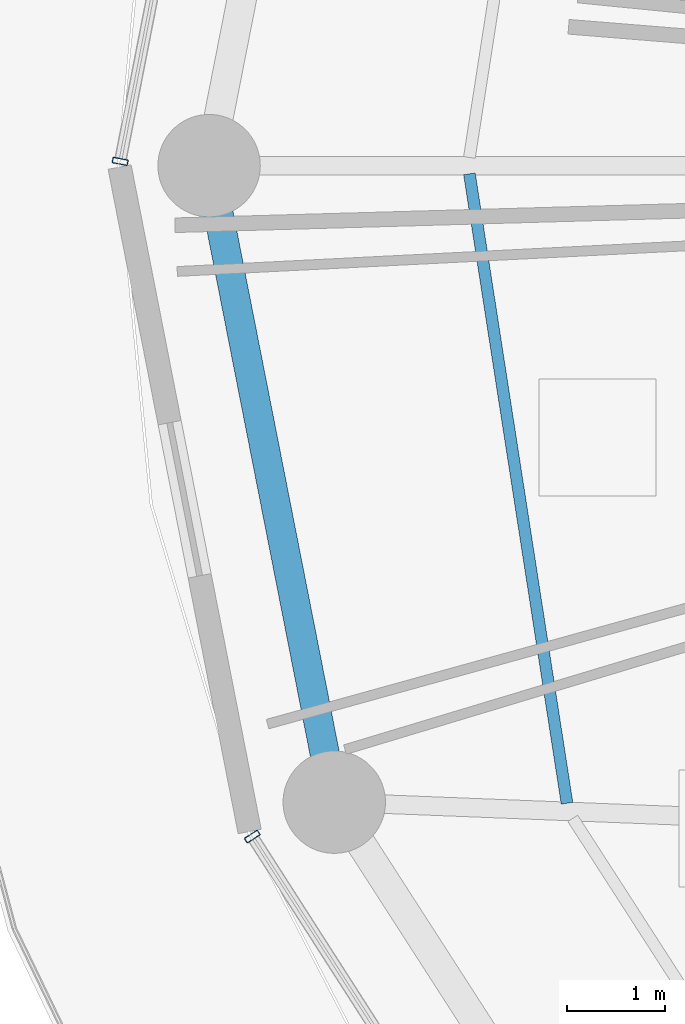
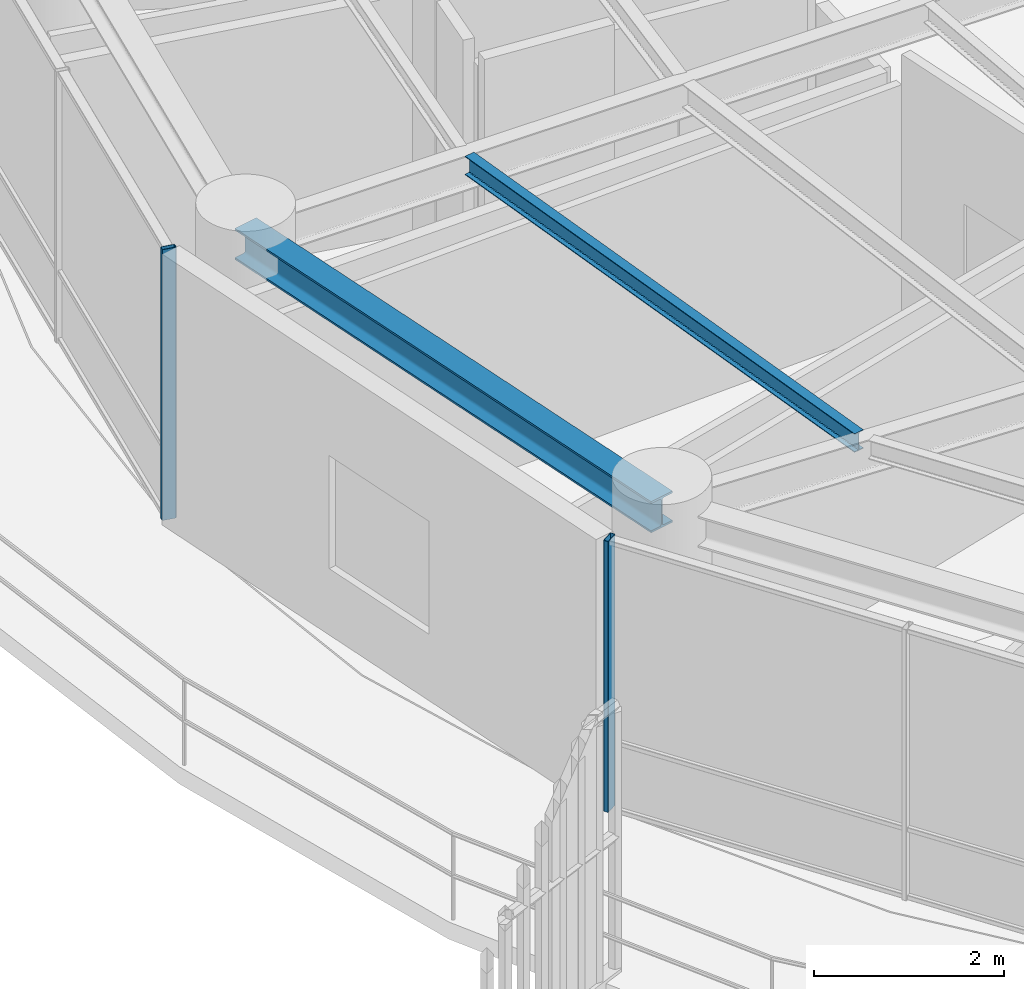
# One storey, part 6 of 30: 2 beams, 2 members, 2 elements without a shape of their own.
"""IFC4 building model written with IfcOpenShell, lengths in metres."""

import ifcopenshell
import ifcopenshell.guid

model = None  # the IFC model being written
_history = None  # IfcOwnerHistory: only IFC2X3 demands one
_inside = {}  # id of a spatial element -> (the spatial element, [elements in it])
_under = {}  # id of a project, library or spatial element -> (it, [spatial elements below it])
_declared = {}  # id of a project -> (the project, [libraries it declares])
_typed = {}  # id of a type object -> (the type object, [elements of that type])
_made_of = {}  # id of a material, layer set ... -> (it, [elements and type objects made of it])


def new_model(schema):
    """Start an empty IFC model of exactly this schema.

    Asked for "IFC4X3", IfcOpenShell would pick the latest addendum, in which some entities
    have other attributes; the version numbers below select the first issue.
    IFC2X3 requires an IfcOwnerHistory on every rooted entity: one is made here for all.
    """
    global model, _history
    if schema == "IFC4X3":
        model = ifcopenshell.file(schema_version=(4, 3, 0, 0))
    else:
        model = ifcopenshell.file(schema=schema)
    _inside.clear()
    _under.clear()
    _declared.clear()
    _typed.clear()
    _made_of.clear()
    _history = None
    if model.schema == "IFC2X3":
        org = make("IfcOrganization", Name="unknown")
        user = make(
            "IfcPersonAndOrganization",
            ThePerson=make("IfcPerson", FamilyName="unknown"),
            TheOrganization=org,
        )
        app = make(
            "IfcApplication",
            ApplicationDeveloper=org,
            Version="unknown",
            ApplicationFullName="unknown",
            ApplicationIdentifier="unknown",
        )
        _history = make(
            "IfcOwnerHistory",
            OwningUser=user,
            OwningApplication=app,
            ChangeAction="ADDED",
            CreationDate=0,
        )
    return model


def make(cls, **values):
    """One entity of the class cls with the attributes given. An attribute that is None is left unset."""
    return model.create_entity(
        cls, **{name: value for name, value in values.items() if value is not None}
    )


def rooted(cls, **values):
    """An entity with a GlobalId (a new one), such as an element, a storey or a relation."""
    return make(cls, GlobalId=ifcopenshell.guid.new(), OwnerHistory=_history, **values)


def si_unit(unit_type, name, prefix=None):
    """IfcSIUnit, for example si_unit("LENGTHUNIT", "METRE", prefix="MILLI")."""
    return make("IfcSIUnit", UnitType=unit_type, Prefix=prefix, Name=name)


def assignment(units):
    """IfcUnitAssignment: the units of a project."""
    return None if units is None else make("IfcUnitAssignment", Units=units)


def point(xyz):
    """IfcCartesianPoint."""
    return None if xyz is None else make("IfcCartesianPoint", Coordinates=xyz)


def direction(xyz):
    """IfcDirection."""
    return None if xyz is None else make("IfcDirection", DirectionRatios=xyz)


def frame(location, z_axis=None, x_axis=None):
    """IfcAxis2Placement3D, a coordinate frame: its origin and axes. An axis left out is left unset."""
    return make(
        "IfcAxis2Placement3D",
        Location=point(location),
        Axis=direction(z_axis),
        RefDirection=direction(x_axis),
    )


def frame_2d(location, x_axis=None):
    """IfcAxis2Placement2D, a coordinate frame in the plane: its origin and x axis."""
    return make(
        "IfcAxis2Placement2D", Location=point(location), RefDirection=direction(x_axis)
    )


def origin():
    """The frame at (0, 0, 0) with its axes left unset."""
    return frame((0.0, 0.0, 0.0))


def origin_2d():
    """The frame at (0, 0) in the plane with its x axis left unset."""
    return frame_2d((0.0, 0.0))


def place(relative_to, where):
    """IfcLocalPlacement: puts the frame where relative to a parent placement (None: the world)."""
    return make(
        "IfcLocalPlacement", PlacementRelTo=relative_to, RelativePlacement=where
    )


def context(
    kind, dimensions, precision=None, world=None, true_north=None, identifier=None
):
    """IfcGeometricRepresentationContext, for example the 3D "Model" context."""
    return make(
        "IfcGeometricRepresentationContext",
        ContextIdentifier=identifier,
        ContextType=kind,
        CoordinateSpaceDimension=dimensions,
        Precision=precision,
        WorldCoordinateSystem=world,
        TrueNorth=true_north,
    )


def subcontext(parent, identifier, kind, view, scale=None):
    """IfcGeometricRepresentationSubContext, for example "Body" below "Model"."""
    return make(
        "IfcGeometricRepresentationSubContext",
        ContextIdentifier=identifier,
        ContextType=kind,
        ParentContext=parent,
        TargetScale=scale,
        TargetView=view,
    )


def project(units=None, contexts=None):
    """IfcProject with its units and contexts."""
    return rooted(
        "IfcProject",
        Name="project",
        RepresentationContexts=contexts,
        UnitsInContext=assignment(units),
    )


def spatial(cls, under=None, at=None, **own):
    """A site, building, storey or space (cls), placed at a placement, below another one or the project."""
    s = rooted(cls, ObjectPlacement=at, **own)
    if under is not None:
        _under.setdefault(under.id(), (under, []))[1].append(s)
    return s


def profile(cls, at=None, kind="AREA", **sizes):
    """A parametric profile (cls). Its sizes go by their IFC names, for example OverallWidth=200.0."""
    return make(cls, ProfileType=kind, Position=at, **sizes)


def hollow_rectangle(**sizes):
    """IfcRectangleHollowProfileDef."""
    return profile("IfcRectangleHollowProfileDef", **sizes)


def i_section(**sizes):
    """IfcIShapeProfileDef."""
    return profile("IfcIShapeProfileDef", **sizes)


def extrude(swept, where, along, depth):
    """IfcExtrudedAreaSolid: the profile swept, set in the frame where, extruded along a direction by depth."""
    return make(
        "IfcExtrudedAreaSolid",
        SweptArea=swept,
        Position=where,
        ExtrudedDirection=direction(along),
        Depth=depth,
    )


def shape(context_of_items, identifier, shape_type, items):
    """IfcShapeRepresentation: the items that make up one representation, for example the "Body"."""
    return make(
        "IfcShapeRepresentation",
        ContextOfItems=context_of_items,
        RepresentationIdentifier=identifier,
        RepresentationType=shape_type,
        Items=items,
    )


def material(Name=None, Category=None):
    """IfcMaterial."""
    return make("IfcMaterial", Name=Name, Category=Category)


def layer(
    of_material, thickness, ventilated=None, Name=None, Category=None, Priority=None
):
    """IfcMaterialLayer: one layer of a wall or slab, of a material (None: an air gap)."""
    return make(
        "IfcMaterialLayer",
        Material=of_material,
        LayerThickness=thickness,
        IsVentilated=ventilated,
        Name=Name,
        Category=Category,
        Priority=Priority,
    )


def layer_set(layers, Name=None):
    """IfcMaterialLayerSet."""
    return make("IfcMaterialLayerSet", MaterialLayers=layers, LayerSetName=Name)


def material_profile(
    of_material, cross_section, Name=None, Category=None, Priority=None
):
    """IfcMaterialProfile: a cross section and its material."""
    return make(
        "IfcMaterialProfile",
        Name=Name,
        Material=of_material,
        Profile=cross_section,
        Priority=Priority,
        Category=Category,
    )


def profile_set(profiles, Name=None, composite=None):
    """IfcMaterialProfileSet."""
    return make(
        "IfcMaterialProfileSet",
        Name=Name,
        MaterialProfiles=profiles,
        CompositeProfile=composite,
    )


def made_of(thing, what):
    """Note that an element or type object is made of a material, layer set ...; save() writes the relation."""
    if what is not None:
        _made_of.setdefault(what.id(), (what, []))[1].append(thing)
    return thing


def type_object(cls, material=None, **own):
    """A type object (cls), such as IfcWallType, which elements share."""
    return made_of(rooted(cls, **own), material)


def element(
    cls,
    number,
    at=None,
    inside=None,
    cuts=None,
    type_object=None,
    material=None,
    context=None,
    identifier="Body",
    shape_type=None,
    held_by="IfcProductDefinitionShape",
    body=None,
    shapes=None,
    **own,
):
    """One element of the class cls, such as IfcWall. Its Tag is "e" and its number.

    at: its placement. inside: the storey or other place that contains it. cuts: it is an
    opening in that element (IfcRelVoidsElement). A single representation is given by context,
    identifier, shape_type and body (its items); several are given by shapes. held_by: the class
    of the entity that holds the representations. save() writes the other relations.
    """
    e = rooted(cls, Tag="e%d" % number, ObjectPlacement=at, **own)
    if body is not None:
        shapes = [shape(context, identifier, shape_type, body)]
    if shapes is not None:
        e.Representation = make(held_by, Representations=shapes)
    if inside is not None:
        _inside.setdefault(inside.id(), (inside, []))[1].append(e)
    if cuts is not None:
        rooted(
            "IfcRelVoidsElement", RelatingBuildingElement=cuts, RelatedOpeningElement=e
        )
    if type_object is not None:
        _typed.setdefault(type_object.id(), (type_object, []))[1].append(e)
    return made_of(e, material)


def aggregate(whole, parts):
    """IfcRelAggregates: a whole, such as a stair, and the parts it consists of."""
    return rooted("IfcRelAggregates", RelatingObject=whole, RelatedObjects=parts)


def save(model, path):
    """Write the relations noted so far, then the file.

    IfcRelAggregates (storeys below a building ...), IfcRelContainedInSpatialStructure (elements
    in a storey), IfcRelDefinesByType, IfcRelAssociatesMaterial and IfcRelDeclares: one each for
    every whole, place, type object, material and project.
    """
    for whole, parts in _under.values():
        aggregate(whole, parts)
    for where, things in _inside.values():
        rooted(
            "IfcRelContainedInSpatialStructure",
            RelatedElements=things,
            RelatingStructure=where,
        )
    for kind, things in _typed.values():
        rooted("IfcRelDefinesByType", RelatedObjects=things, RelatingType=kind)
    for what, things in _made_of.values():
        rooted("IfcRelAssociatesMaterial", RelatedObjects=things, RelatingMaterial=what)
    for by, libraries in _declared.values():
        rooted("IfcRelDeclares", RelatingContext=by, RelatedDefinitions=libraries)
    model.write(path)


model = new_model("IFC4")

# Units and contexts
model_context = context("Model", 3, precision=1e-05, world=origin(), true_north=direction((0.0, 1.0)))
body_context = subcontext(model_context, "Body", "Model", "MODEL_VIEW")
ifc_project = project(units=[si_unit("LENGTHUNIT", "METRE"), si_unit("AREAUNIT", "SQUARE_METRE"), si_unit("VOLUMEUNIT", "CUBIC_METRE"), si_unit("PLANEANGLEUNIT", "RADIAN"), si_unit("MASSUNIT", "GRAM", prefix="KILO")], contexts=[model_context])

# Site, building, storey
site_placement = place(None, origin())
site = spatial("IfcSite", under=ifc_project, at=site_placement, CompositionType="ELEMENT")
building_placement = place(site_placement, origin())
building = spatial("IfcBuilding", under=site, at=building_placement, Name="Kelanora Arch Commons", CompositionType="ELEMENT")
storey_placement = place(building_placement, frame((0.0, 0.0, 204.449951171875)))
storey = spatial("IfcBuildingStorey", under=building, at=storey_placement, Name="L52", CompositionType="ELEMENT", Elevation=204.449951171875)

# Beams
ifc_material_1 = material(Name="Steel S355", Category="steel")
ifc_material_profile_1 = material_profile(ifc_material_1, i_section(OverallWidth=0.1201171875, OverallDepth=0.239990234375, WebThickness=0.006103515625, FlangeThickness=0.009765625, FilletRadius=0.014892578125, at=origin_2d()), Name="IPE240")
ifc_profile_set_1 = profile_set([ifc_material_profile_1], Name="Steel S355")
beam_type_1 = type_object("IfcBeamType", Name="BM-JST-02", PredefinedType="JOIST", material=ifc_profile_set_1)
beam_1_placement = place(storey_placement, frame((55.388916015625, 57.916015625, 3.3701171875), z_axis=(0.153256756152, -0.988186402808, 0.0), x_axis=(0.988186402808, 0.153256756152, 0.0)))
element("IfcBeam", 1, at=beam_1_placement, inside=storey, type_object=beam_type_1, Name="Secondary Chord Joist BJC-18 L52", PredefinedType="JOIST", context=body_context, shape_type="SweptSolid", body=[
    extrude(i_section(OverallWidth=0.1201171875, OverallDepth=0.239990234375, WebThickness=0.006103515625, FlangeThickness=0.009765625, FilletRadius=0.014892578125, at=origin_2d()), origin(), (0.0, 0.0, 1.0), 6.52978515625),
])
ifc_material_profile_2 = material_profile(ifc_material_1, i_section(OverallWidth=0.300048828125, OverallDepth=0.39990234375, WebThickness=0.013427734375, FlangeThickness=0.02392578125, FilletRadius=0.027099609375, at=origin_2d()), Name="HEB400")
ifc_profile_set_2 = profile_set([ifc_material_profile_2], Name="Steel S355")
beam_type_2 = type_object("IfcBeamType", Name="BM-SPN-Z4", PredefinedType="SPANDREL", material=ifc_profile_set_2)
beam_2_placement = place(storey_placement, frame((52.719970703125, 58.0, 3.2900390625), z_axis=(0.192980724826, -0.981202547819, 0.0), x_axis=(0.981202547819, 0.192980724826, 0.0)))
element("IfcBeam", 2, at=beam_2_placement, inside=storey, type_object=beam_type_2, Name="Perimeter Spandrel Beam BS-18 L52", PredefinedType="SPANDREL", context=body_context, shape_type="SweptSolid", body=[
    extrude(i_section(OverallWidth=0.300048828125, OverallDepth=0.39990234375, WebThickness=0.013427734375, FlangeThickness=0.02392578125, FilletRadius=0.027099609375, at=origin_2d()), origin(), (0.0, 0.0, 1.0), 6.650634765625),
])

# Curtain wall, member
ifc_material_2 = material(Name="Terracotta ceramic-fritted low-E glass and aluminium", Category="masonry")
ifc_layer = layer(ifc_material_2, 0.175048828125)
ifc_layer_set = layer_set([ifc_layer], Name="Terracotta ceramic-fritted low-E glass and aluminium")
curtain_wall_type = type_object("IfcCurtainWallType", Name="CW-SYS-02", PredefinedType="NOTDEFINED", material=ifc_layer_set)
curtain_wall_1_placement = place(storey_placement, origin())
curtain_wall_1 = element("IfcCurtainWall", 3, at=curtain_wall_1_placement, inside=storey, type_object=curtain_wall_type, Name="Unitised Curtain Wall L52-B08", PredefinedType="NOTDEFINED")
ifc_material_3 = material(Name="Powder-coated aluminium terracotta", Category="masonry")
ifc_material_profile_3 = material_profile(ifc_material_3, hollow_rectangle(XDim=0.159912109375, YDim=0.06005859375, WallThickness=0.0048828125, InnerFilletRadius=0.0048828125, OuterFilletRadius=0.010009765625, at=origin_2d()), Name="CWM160x60")
ifc_profile_set_3 = profile_set([ifc_material_profile_3], Name="Powder-coated aluminium terracotta")
member_type = type_object("IfcMemberType", Name="CWM-STD", PredefinedType="MULLION", material=ifc_profile_set_3)
member_1_placement = place(storey_placement, frame((51.80859375, 58.044189453125, 0.0), z_axis=(0.0, 0.0, 1.0), x_axis=(0.981381438349, -0.192068926335, 0.0)))
member_1 = element("IfcMember", 4, at=member_1_placement, type_object=member_type, Name="CW-02 mullion 3", PredefinedType="MULLION", context=body_context, shape_type="SweptSolid", body=[
    extrude(hollow_rectangle(XDim=0.159912109375, YDim=0.06005859375, WallThickness=0.0048828125, InnerFilletRadius=0.0048828125, OuterFilletRadius=0.010009765625, at=origin_2d()), origin(), (0.0, 0.0, 1.0), 3.47509765625),
])
aggregate(curtain_wall_1, [member_1])

curtain_wall_2_placement = place(storey_placement, origin())
curtain_wall_2 = element("IfcCurtainWall", 5, at=curtain_wall_2_placement, inside=storey, type_object=curtain_wall_type, Name="Unitised Curtain Wall L52-B10", PredefinedType="NOTDEFINED")
member_2_placement = place(storey_placement, frame((53.1630859375, 51.121826171875, 0.0), z_axis=(0.0, 0.0, 1.0), x_axis=(0.84194757539, 0.539559338994, 0.0)))
member_2 = element("IfcMember", 6, at=member_2_placement, type_object=member_type, Name="CW-02 mullion 1", PredefinedType="MULLION", context=body_context, shape_type="SweptSolid", body=[
    extrude(hollow_rectangle(XDim=0.159912109375, YDim=0.06005859375, WallThickness=0.0048828125, InnerFilletRadius=0.0048828125, OuterFilletRadius=0.010009765625, at=origin_2d()), origin(), (0.0, 0.0, 1.0), 3.47509765625),
])
aggregate(curtain_wall_2, [member_2])

save(model, "model.ifc")
